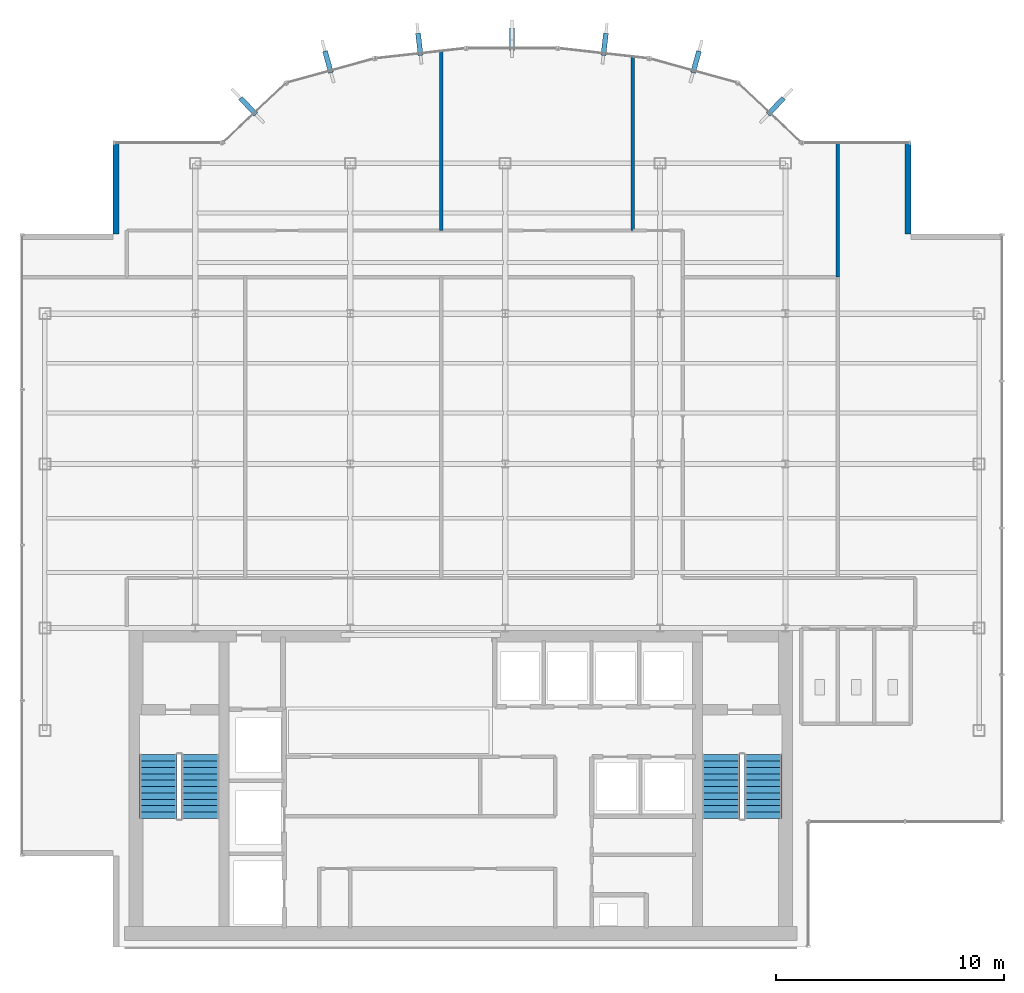
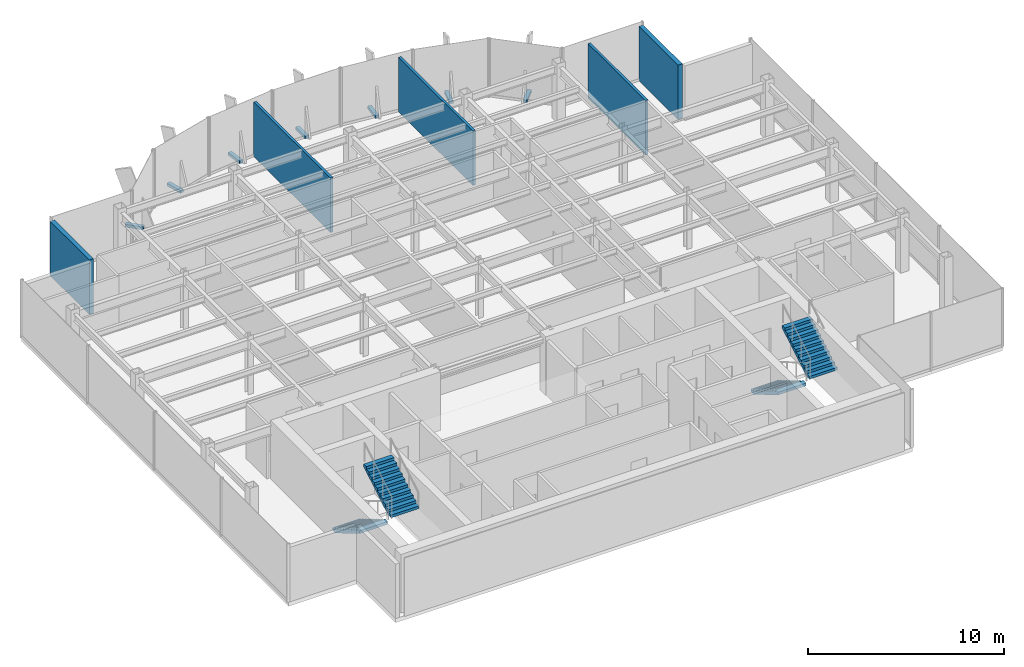
# One storey, part 19 of 22: 7 discrete accessories, 5 walls, 4 stair flights, 2 elements without a shape of their own.
"""IFC4 building model written with IfcOpenShell, lengths in metres."""

from ifc_helpers import new_model, si_unit, derived_unit, direction, frame, frame_2d, origin, origin_2d, place, context, subcontext, project, spatial, polyline, rectangle, outline, extrude, source, transform, mapped, material, layer, layer_set, type_object, element, aggregate, save


model = new_model("IFC4")

# Units and contexts
model_context = context("Model", 3, precision=1e-05, world=origin(), true_north=direction((0.0, 1.0)))
body_context = subcontext(model_context, "Body", "Model", "MODEL_VIEW")
ifc_project = project(units=[si_unit("LENGTHUNIT", "METRE"), si_unit("AREAUNIT", "SQUARE_METRE"), si_unit("VOLUMEUNIT", "CUBIC_METRE"), si_unit("PLANEANGLEUNIT", "RADIAN"), si_unit("MASSUNIT", "GRAM", prefix="KILO"), derived_unit("THERMALTRANSMITTANCEUNIT", [(si_unit("POWERUNIT", "WATT"), 1), (si_unit("LENGTHUNIT", "METRE"), -2), (si_unit("THERMODYNAMICTEMPERATUREUNIT", "KELVIN"), -1)])], contexts=[model_context])

# Site, building, storey
site_placement = place(None, origin())
site = spatial("IfcSite", under=ifc_project, at=site_placement, CompositionType="ELEMENT")
building_placement = place(site_placement, origin())
building = spatial("IfcBuilding", under=site, at=building_placement, Name="Skarnbrae Concourse Arena and Tower", CompositionType="ELEMENT")
storey_placement = place(building_placement, frame((0.0, 0.0, 225.10009765625)))
storey = spatial("IfcBuildingStorey", under=building, at=storey_placement, Name="L58", CompositionType="ELEMENT", Elevation=225.10009765625)

# Walls
ifc_material_1 = material(Name="Precast concrete 40 MPa (C40/50)", Category="concrete")
ifc_layer_1 = layer(ifc_material_1, 0.25)
ifc_layer_set_1 = layer_set([ifc_layer_1], Name="Precast concrete 40 MPa (C40/50)")
wall_type_1 = type_object("IfcWallType", Name="WALL-EXT-SPANDREL-250", PredefinedType="STANDARD", material=ifc_layer_set_1)
shared_shape_1 = source(origin(), body_context, "Body", "SweptSolid", [
    extrude(rectangle(XDim=4.0, YDim=0.25, at=frame_2d((2.0, 0.0))), origin(), (0.0, 0.0, 1.0), 3.39990234375),
])
for number, where, z_axis, x_axis, name in (
    (1, (38.875, 31.300048828125, 0.0), (0.0, 0.0, 1.0), (0.0, 1.0, 0.0), "L58 Notched corner insulated return wall 06"),
    (2, (4.125, 35.300048828125, 0.0), (0.0, 0.0, 1.0), (0.0, -1.0, 0.0), "L58 Notched corner insulated return wall 16"),
):
    element("IfcWall", number, at=place(storey_placement, frame(where, z_axis=z_axis, x_axis=x_axis)), inside=storey, type_object=wall_type_1, Name=name, PredefinedType="STANDARD", context=body_context, shape_type="MappedRepresentation", body=[
        mapped(shared_shape_1, transform((0.0, 0.0, 0.0))),
    ])
ifc_material_2 = material(Name="Gypsum board on cold-formed steel studs", Category="steel")
ifc_layer_2 = layer(ifc_material_2, 0.14990234375)
ifc_layer_set_2 = layer_set([ifc_layer_2], Name="Gypsum board on cold-formed steel studs")
wall_type_2 = type_object("IfcWallType", Name="WALL-PART-150", PredefinedType="PARTITIONING", material=ifc_layer_set_2)
shared_shape_2 = source(origin(), body_context, "Body", "SweptSolid", [
    extrude(rectangle(XDim=7.855224609375, YDim=0.14990234375, at=frame_2d((3.927734375, 0.0))), origin(), (0.0, 0.0, 1.0), 3.39990234375),
])
wall_1_placement = place(storey_placement, frame((18.39990234375, 39.30517578125, 0.0), z_axis=(0.0, 0.0, 1.0), x_axis=(0.0, -1.0, 0.0)))
element("IfcWall", 3, at=wall_1_placement, inside=storey, type_object=wall_type_2, Name="L58 Interior partition wall W-L58-DEM-16", PredefinedType="PARTITIONING", context=body_context, shape_type="MappedRepresentation", body=[
    mapped(shared_shape_2, transform((0.0, 0.0, 0.0))),
])
shared_shape_3 = source(origin(), body_context, "Body", "SweptSolid", [
    extrude(rectangle(XDim=7.6083984375, YDim=0.14990234375, at=frame_2d((3.80419921875, 0.0))), origin(), (0.0, 0.0, 1.0), 3.39990234375),
])
wall_2_placement = place(storey_placement, frame((26.800048828125, 39.058349609375, 0.0), z_axis=(0.0, 0.0, 1.0), x_axis=(0.0, -1.0, 0.0)))
element("IfcWall", 4, at=wall_2_placement, inside=storey, type_object=wall_type_2, Name="L58 Interior partition wall W-L58-DEM-17", PredefinedType="PARTITIONING", context=body_context, shape_type="MappedRepresentation", body=[
    mapped(shared_shape_3, transform((0.0, 0.0, 0.0))),
])
shared_shape_4 = source(origin(), body_context, "Body", "SweptSolid", [
    extrude(rectangle(XDim=5.880126953125, YDim=0.14990234375, at=frame_2d((2.93994140625, 0.0))), origin(), (0.0, 0.0, 1.0), 3.39990234375),
])
wall_3_placement = place(storey_placement, frame((35.800048828125, 35.280029296875, 0.0), z_axis=(0.0, 0.0, 1.0), x_axis=(0.0, -1.0, 0.0)))
element("IfcWall", 5, at=wall_3_placement, inside=storey, type_object=wall_type_2, Name="L58 Interior partition wall W-L58-DEM-20", PredefinedType="PARTITIONING", context=body_context, shape_type="MappedRepresentation", body=[
    mapped(shared_shape_4, transform((0.0, 0.0, 0.0))),
])

# Stair, stair flights
ifc_material_3 = material(Name="Concrete 40 MPa (C40/50)", Category="concrete")
stair_type = type_object("IfcStairType", Name="STAIR-DOGLEG-1650", PredefinedType="HALF_TURN_STAIR", material=ifc_material_3)
stair_1_placement = place(storey_placement, origin())
stair_1 = element("IfcStair", 6, at=stair_1_placement, inside=storey, type_object=stair_type, Name="L58 Protected Exit Stair ST-1", PredefinedType="HALF_TURN_STAIR")
stair_flight_type = type_object("IfcStairFlightType", Name="FLIGHT-STRAIGHT-1650", PredefinedType="STRAIGHT", material=ifc_material_3)
shared_shape_5 = source(origin(), body_context, "Body", "SweptSolid", [
    extrude(outline(polyline([(0.0, 0.0), (0.0, 0.166015625), (0.280029296875, 0.166015625), (0.280029296875, 0.331787109375), (0.56005859375, 0.331787109375), (0.56005859375, 0.497802734375), (0.840087890625, 0.497802734375), (0.840087890625, 0.66357421875), (1.1201171875, 0.66357421875), (1.1201171875, 0.82958984375), (1.39990234375, 0.82958984375), (1.39990234375, 0.995361328125), (1.679931640625, 0.995361328125), (1.679931640625, 1.161376953125), (1.9599609375, 1.161376953125), (1.9599609375, 1.327392578125), (2.239990234375, 1.327392578125), (2.239990234375, 1.4931640625), (2.52001953125, 1.4931640625), (2.52001953125, 1.6591796875), (2.800048828125, 1.6591796875), (2.800048828125, 1.824951171875), (2.800048828125, 1.48486328125), (0.2939453125, 0.0), (0.0, 0.0)])), frame((0.0, 0.824951171875, 0.0), z_axis=(0.0, -1.0, 0.0), x_axis=(1.0, 0.0, 0.0)), (0.0, 0.0, 1.0), 1.64990234375),
])
stair_flight_1_placement = place(storey_placement, frame((5.97509765625, 8.449951171875, 0.0), z_axis=(0.0, 0.0, 1.0), x_axis=(0.0, -1.0, 0.0)))
stair_flight_1 = element("IfcStairFlight", 7, at=stair_flight_1_placement, type_object=stair_flight_type, Name="ST-1 flight 1", NumberOfRisers=11, NumberOfTreads=10, PredefinedType="STRAIGHT", RiserHeight=0.165909091, TreadLength=0.28, context=body_context, shape_type="MappedRepresentation", body=[
    mapped(shared_shape_5, transform((0.0, 0.0, 0.0))),
])
stair_flight_2_placement = place(storey_placement, frame((7.824951171875, 5.64990234375, 1.824951171875), z_axis=(0.0, 0.0, 1.0), x_axis=(0.0, 1.0, 0.0)))
stair_flight_2 = element("IfcStairFlight", 8, at=stair_flight_2_placement, type_object=stair_flight_type, Name="ST-1 flight 2", NumberOfRisers=11, NumberOfTreads=10, PredefinedType="STRAIGHT", RiserHeight=0.165909091, TreadLength=0.28, context=body_context, shape_type="MappedRepresentation", body=[
    mapped(shared_shape_5, transform((0.0, 0.0, 0.0))),
])
aggregate(stair_1, [stair_flight_1, stair_flight_2])

stair_2_placement = place(storey_placement, origin())
stair_2 = element("IfcStair", 9, at=stair_2_placement, inside=storey, type_object=stair_type, Name="L58 Protected Exit Stair ST-2", PredefinedType="HALF_TURN_STAIR")
stair_flight_3_placement = place(storey_placement, frame((30.675048828125, 8.449951171875, 0.0), z_axis=(0.0, 0.0, 1.0), x_axis=(0.0, -1.0, 0.0)))
stair_flight_3 = element("IfcStairFlight", 10, at=stair_flight_3_placement, type_object=stair_flight_type, Name="ST-2 flight 1", NumberOfRisers=11, NumberOfTreads=10, PredefinedType="STRAIGHT", RiserHeight=0.165909091, TreadLength=0.28, context=body_context, shape_type="MappedRepresentation", body=[
    mapped(shared_shape_5, transform((0.0, 0.0, 0.0))),
])
stair_flight_4_placement = place(storey_placement, frame((32.52490234375, 5.64990234375, 1.824951171875), z_axis=(0.0, 0.0, 1.0), x_axis=(0.0, 1.0, 0.0)))
stair_flight_4 = element("IfcStairFlight", 11, at=stair_flight_4_placement, type_object=stair_flight_type, Name="ST-2 flight 2", NumberOfRisers=11, NumberOfTreads=10, PredefinedType="STRAIGHT", RiserHeight=0.165909091, TreadLength=0.28, context=body_context, shape_type="MappedRepresentation", body=[
    mapped(shared_shape_5, transform((0.0, 0.0, 0.0))),
])
aggregate(stair_2, [stair_flight_3, stair_flight_4])

# Discrete accessories
ifc_material_4 = material(Name="Bronze anodised aluminium 6063-T6", Category="aluminium")
discrete_accessory_type = type_object("IfcDiscreteAccessoryType", Name="ACC-FIN-BRACKET", PredefinedType="BRACKET", material=ifc_material_4)
shared_shape_6 = source(origin(), body_context, "Body", "SweptSolid", [
    extrude(rectangle(XDim=0.219970703125, YDim=0.97998046875, at=origin_2d()), origin(), (0.0, 0.0, 1.0), 0.179931640625),
])
for number, where, z_axis, x_axis, name in (
    (12, (33.0791015625, 36.904541015625, -0.0302734375), (0.0, 0.0, 1.0), (0.728131751529, -0.685437198009, 0.0), "L58 Bronze fin foot support bracket 08"),
    (13, (29.573974609375, 38.847412109375, -0.0302734375), (0.0, 0.0, 1.0), (0.964058316208, -0.265690728011, 0.0), "L58 Bronze fin foot support bracket 09"),
    (14, (25.566162109375, 39.619384765625, -0.0302734375), (0.0, 0.0, 1.0), (0.993769864509, -0.111451587667, 0.0), "L58 Bronze fin foot support bracket 10"),
    (15, (21.5, 39.8466796875, -0.0302734375), (0.0, 0.0, 1.0), (1.0, 0.0, 0.0), "L58 Bronze fin foot support bracket 11"),
    (16, (17.433837890625, 39.619384765625, -0.0302734375), (0.0, 0.0, 1.0), (0.993769864509, 0.111451587667, 0.0), "L58 Bronze fin foot support bracket 12"),
    (17, (13.426025390625, 38.847412109375, -0.0302734375), (0.0, 0.0, 1.0), (0.964058316208, 0.265690728011, 0.0), "L58 Bronze fin foot support bracket 13"),
    (18, (9.9208984375, 36.904541015625, -0.0302734375), (0.0, 0.0, 1.0), (0.728131751529, 0.685437198009, 0.0), "L58 Bronze fin foot support bracket 14"),
):
    element("IfcDiscreteAccessory", number, at=place(storey_placement, frame(where, z_axis=z_axis, x_axis=x_axis)), inside=storey, type_object=discrete_accessory_type, Name=name, PredefinedType="BRACKET", context=body_context, shape_type="MappedRepresentation", body=[
        mapped(shared_shape_6, transform((0.0, 0.0, 0.0))),
    ])

save(model, "model.ifc")
